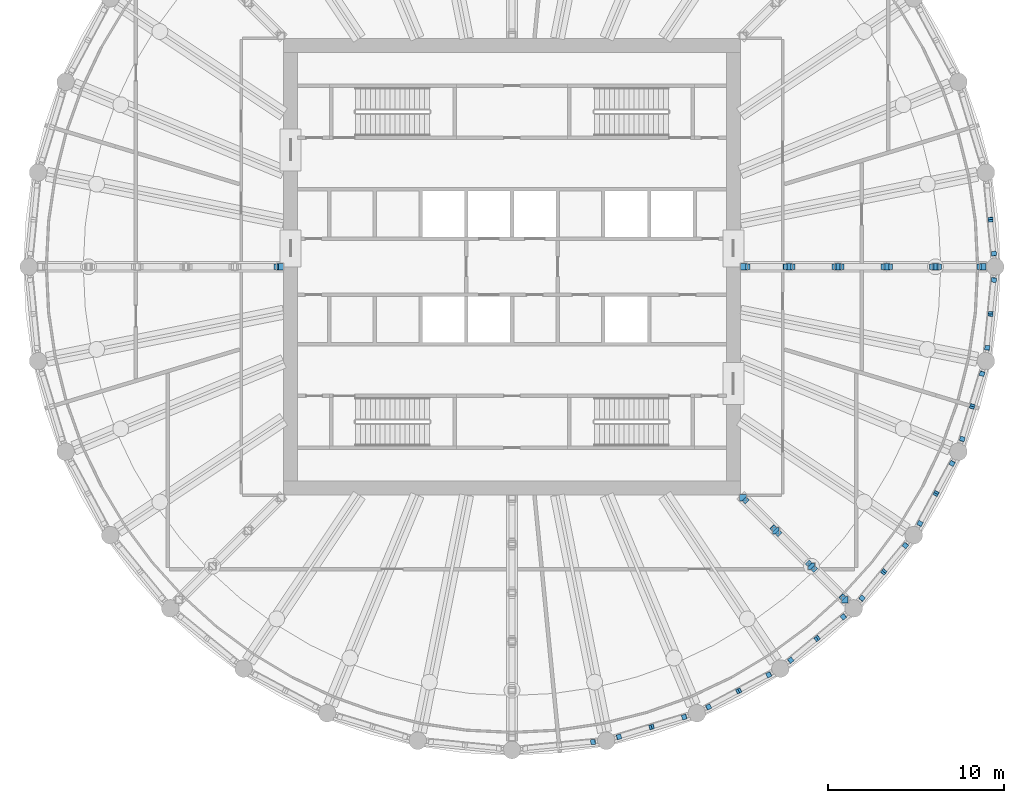
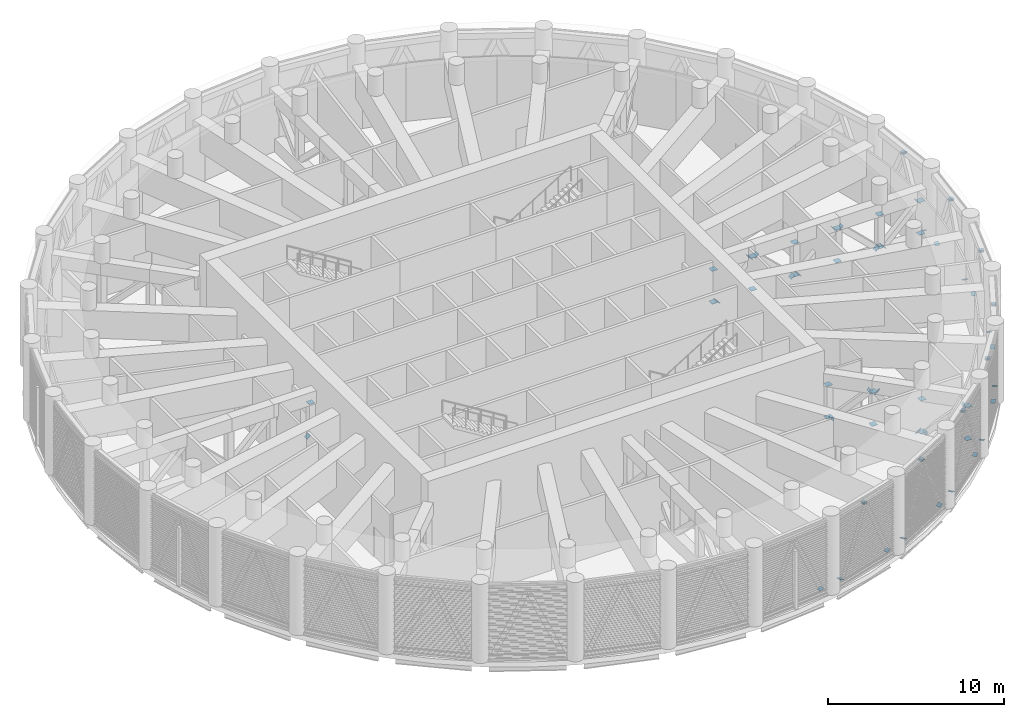
# One storey, part 14 of 24: 70 discrete accessories.
"""IFC4 building model written with IfcOpenShell, lengths in metres."""

import ifcopenshell
import ifcopenshell.guid

model = None  # the IFC model being written
_history = None  # IfcOwnerHistory: only IFC2X3 demands one
_inside = {}  # id of a spatial element -> (the spatial element, [elements in it])
_under = {}  # id of a project, library or spatial element -> (it, [spatial elements below it])
_declared = {}  # id of a project -> (the project, [libraries it declares])
_typed = {}  # id of a type object -> (the type object, [elements of that type])
_made_of = {}  # id of a material, layer set ... -> (it, [elements and type objects made of it])


def new_model(schema):
    """Start an empty IFC model of exactly this schema.

    Asked for "IFC4X3", IfcOpenShell would pick the latest addendum, in which some entities
    have other attributes; the version numbers below select the first issue.
    IFC2X3 requires an IfcOwnerHistory on every rooted entity: one is made here for all.
    """
    global model, _history
    if schema == "IFC4X3":
        model = ifcopenshell.file(schema_version=(4, 3, 0, 0))
    else:
        model = ifcopenshell.file(schema=schema)
    _inside.clear()
    _under.clear()
    _declared.clear()
    _typed.clear()
    _made_of.clear()
    _history = None
    if model.schema == "IFC2X3":
        org = make("IfcOrganization", Name="unknown")
        user = make(
            "IfcPersonAndOrganization",
            ThePerson=make("IfcPerson", FamilyName="unknown"),
            TheOrganization=org,
        )
        app = make(
            "IfcApplication",
            ApplicationDeveloper=org,
            Version="unknown",
            ApplicationFullName="unknown",
            ApplicationIdentifier="unknown",
        )
        _history = make(
            "IfcOwnerHistory",
            OwningUser=user,
            OwningApplication=app,
            ChangeAction="ADDED",
            CreationDate=0,
        )
    return model


def make(cls, **values):
    """One entity of the class cls with the attributes given. An attribute that is None is left unset."""
    return model.create_entity(
        cls, **{name: value for name, value in values.items() if value is not None}
    )


def rooted(cls, **values):
    """An entity with a GlobalId (a new one), such as an element, a storey or a relation."""
    return make(cls, GlobalId=ifcopenshell.guid.new(), OwnerHistory=_history, **values)


def si_unit(unit_type, name, prefix=None):
    """IfcSIUnit, for example si_unit("LENGTHUNIT", "METRE", prefix="MILLI")."""
    return make("IfcSIUnit", UnitType=unit_type, Prefix=prefix, Name=name)


def assignment(units):
    """IfcUnitAssignment: the units of a project."""
    return None if units is None else make("IfcUnitAssignment", Units=units)


def point(xyz):
    """IfcCartesianPoint."""
    return None if xyz is None else make("IfcCartesianPoint", Coordinates=xyz)


def direction(xyz):
    """IfcDirection."""
    return None if xyz is None else make("IfcDirection", DirectionRatios=xyz)


def frame(location, z_axis=None, x_axis=None):
    """IfcAxis2Placement3D, a coordinate frame: its origin and axes. An axis left out is left unset."""
    return make(
        "IfcAxis2Placement3D",
        Location=point(location),
        Axis=direction(z_axis),
        RefDirection=direction(x_axis),
    )


def frame_2d(location, x_axis=None):
    """IfcAxis2Placement2D, a coordinate frame in the plane: its origin and x axis."""
    return make(
        "IfcAxis2Placement2D", Location=point(location), RefDirection=direction(x_axis)
    )


def origin():
    """The frame at (0, 0, 0) with its axes left unset."""
    return frame((0.0, 0.0, 0.0))


def origin_2d():
    """The frame at (0, 0) in the plane with its x axis left unset."""
    return frame_2d((0.0, 0.0))


def place(relative_to, where):
    """IfcLocalPlacement: puts the frame where relative to a parent placement (None: the world)."""
    return make(
        "IfcLocalPlacement", PlacementRelTo=relative_to, RelativePlacement=where
    )


def context(
    kind, dimensions, precision=None, world=None, true_north=None, identifier=None
):
    """IfcGeometricRepresentationContext, for example the 3D "Model" context."""
    return make(
        "IfcGeometricRepresentationContext",
        ContextIdentifier=identifier,
        ContextType=kind,
        CoordinateSpaceDimension=dimensions,
        Precision=precision,
        WorldCoordinateSystem=world,
        TrueNorth=true_north,
    )


def subcontext(parent, identifier, kind, view, scale=None):
    """IfcGeometricRepresentationSubContext, for example "Body" below "Model"."""
    return make(
        "IfcGeometricRepresentationSubContext",
        ContextIdentifier=identifier,
        ContextType=kind,
        ParentContext=parent,
        TargetScale=scale,
        TargetView=view,
    )


def project(units=None, contexts=None):
    """IfcProject with its units and contexts."""
    return rooted(
        "IfcProject",
        Name="project",
        RepresentationContexts=contexts,
        UnitsInContext=assignment(units),
    )


def spatial(cls, under=None, at=None, **own):
    """A site, building, storey or space (cls), placed at a placement, below another one or the project."""
    s = rooted(cls, ObjectPlacement=at, **own)
    if under is not None:
        _under.setdefault(under.id(), (under, []))[1].append(s)
    return s


def profile(cls, at=None, kind="AREA", **sizes):
    """A parametric profile (cls). Its sizes go by their IFC names, for example OverallWidth=200.0."""
    return make(cls, ProfileType=kind, Position=at, **sizes)


def rectangle(**sizes):
    """IfcRectangleProfileDef."""
    return profile("IfcRectangleProfileDef", **sizes)


def extrude(swept, where, along, depth):
    """IfcExtrudedAreaSolid: the profile swept, set in the frame where, extruded along a direction by depth."""
    return make(
        "IfcExtrudedAreaSolid",
        SweptArea=swept,
        Position=where,
        ExtrudedDirection=direction(along),
        Depth=depth,
    )


def shape(context_of_items, identifier, shape_type, items):
    """IfcShapeRepresentation: the items that make up one representation, for example the "Body"."""
    return make(
        "IfcShapeRepresentation",
        ContextOfItems=context_of_items,
        RepresentationIdentifier=identifier,
        RepresentationType=shape_type,
        Items=items,
    )


def material(Name=None, Category=None):
    """IfcMaterial."""
    return make("IfcMaterial", Name=Name, Category=Category)


def material_profile(
    of_material, cross_section, Name=None, Category=None, Priority=None
):
    """IfcMaterialProfile: a cross section and its material."""
    return make(
        "IfcMaterialProfile",
        Name=Name,
        Material=of_material,
        Profile=cross_section,
        Priority=Priority,
        Category=Category,
    )


def profile_set(profiles, Name=None, composite=None):
    """IfcMaterialProfileSet."""
    return make(
        "IfcMaterialProfileSet",
        Name=Name,
        MaterialProfiles=profiles,
        CompositeProfile=composite,
    )


def made_of(thing, what):
    """Note that an element or type object is made of a material, layer set ...; save() writes the relation."""
    if what is not None:
        _made_of.setdefault(what.id(), (what, []))[1].append(thing)
    return thing


def type_object(cls, material=None, **own):
    """A type object (cls), such as IfcWallType, which elements share."""
    return made_of(rooted(cls, **own), material)


def element(
    cls,
    number,
    at=None,
    inside=None,
    cuts=None,
    type_object=None,
    material=None,
    context=None,
    identifier="Body",
    shape_type=None,
    held_by="IfcProductDefinitionShape",
    body=None,
    shapes=None,
    **own,
):
    """One element of the class cls, such as IfcWall. Its Tag is "e" and its number.

    at: its placement. inside: the storey or other place that contains it. cuts: it is an
    opening in that element (IfcRelVoidsElement). A single representation is given by context,
    identifier, shape_type and body (its items); several are given by shapes. held_by: the class
    of the entity that holds the representations. save() writes the other relations.
    """
    e = rooted(cls, Tag="e%d" % number, ObjectPlacement=at, **own)
    if body is not None:
        shapes = [shape(context, identifier, shape_type, body)]
    if shapes is not None:
        e.Representation = make(held_by, Representations=shapes)
    if inside is not None:
        _inside.setdefault(inside.id(), (inside, []))[1].append(e)
    if cuts is not None:
        rooted(
            "IfcRelVoidsElement", RelatingBuildingElement=cuts, RelatedOpeningElement=e
        )
    if type_object is not None:
        _typed.setdefault(type_object.id(), (type_object, []))[1].append(e)
    return made_of(e, material)


def aggregate(whole, parts):
    """IfcRelAggregates: a whole, such as a stair, and the parts it consists of."""
    return rooted("IfcRelAggregates", RelatingObject=whole, RelatedObjects=parts)


def save(model, path):
    """Write the relations noted so far, then the file.

    IfcRelAggregates (storeys below a building ...), IfcRelContainedInSpatialStructure (elements
    in a storey), IfcRelDefinesByType, IfcRelAssociatesMaterial and IfcRelDeclares: one each for
    every whole, place, type object, material and project.
    """
    for whole, parts in _under.values():
        aggregate(whole, parts)
    for where, things in _inside.values():
        rooted(
            "IfcRelContainedInSpatialStructure",
            RelatedElements=things,
            RelatingStructure=where,
        )
    for kind, things in _typed.values():
        rooted("IfcRelDefinesByType", RelatedObjects=things, RelatingType=kind)
    for what, things in _made_of.values():
        rooted("IfcRelAssociatesMaterial", RelatedObjects=things, RelatingMaterial=what)
    for by, libraries in _declared.values():
        rooted("IfcRelDeclares", RelatingContext=by, RelatedDefinitions=libraries)
    model.write(path)


model = new_model("IFC4")

# Units and contexts
model_context = context("Model", 3, precision=1e-05, world=origin(), true_north=direction((0.0, 1.0)))
body_context = subcontext(model_context, "Body", "Model", "MODEL_VIEW")
ifc_project = project(units=[si_unit("LENGTHUNIT", "METRE"), si_unit("AREAUNIT", "SQUARE_METRE"), si_unit("VOLUMEUNIT", "CUBIC_METRE"), si_unit("PLANEANGLEUNIT", "RADIAN"), si_unit("MASSUNIT", "GRAM", prefix="KILO")], contexts=[model_context])

# Site, building, storey
site_placement = place(None, origin())
site = spatial("IfcSite", under=ifc_project, at=site_placement, CompositionType="ELEMENT")
building_placement = place(site_placement, origin())
building = spatial("IfcBuilding", under=site, at=building_placement, Name="Corvane Civic Tower", CompositionType="ELEMENT")
storey_placement = place(building_placement, frame((0.0, 0.0, 257.5)))
storey = spatial("IfcBuildingStorey", under=building, at=storey_placement, Name="L61", CompositionType="ELEMENT", Elevation=257.5)

# Discrete accessories
ifc_material_1 = material(Name="Steel ASTM A572 Gr 50", Category="steel")
ifc_material_profile_1 = material_profile(ifc_material_1, rectangle(XDim=0.2802734375, YDim=0.2802734375, at=origin_2d()), Name="GUSSET PLATE 25 IN HSS12X12X1/2")
ifc_profile_set_1 = profile_set([ifc_material_profile_1], Name="Steel ASTM A572 Gr 50")
discrete_accessory_type_1 = type_object("IfcDiscreteAccessoryType", Name="GUSSET PLATE 25 IN HSS12X12X1/2", PredefinedType="BRACKET", material=ifc_profile_set_1)
discrete_accessory_1_placement = place(storey_placement, frame((27.23583984375, 2.6826171875, 4.74365234375), z_axis=(-0.038974804843, 0.399491749636, -0.915907913799), x_axis=(-0.995274633926, -0.097099964285, 0.0)))
element("IfcDiscreteAccessory", 1, at=discrete_accessory_1_placement, inside=storey, type_object=discrete_accessory_type_1, Name="Gusset plate BD1 end B", PredefinedType="BRACKET", context=body_context, shape_type="SweptSolid", body=[
    extrude(rectangle(XDim=0.2802734375, YDim=0.2802734375, at=origin_2d()), origin(), (0.0, 0.0, 1.0), 0.025146484375),
])
discrete_accessory_2_placement = place(storey_placement, frame((27.426513671875, 0.746337890625, 0.406494140625), z_axis=(-0.0391686549, 0.411270876454, 0.910671226434), x_axis=(-0.995495472594, -0.094809092628, 0.0)))
element("IfcDiscreteAccessory", 2, at=discrete_accessory_2_placement, inside=storey, type_object=discrete_accessory_type_1, Name="Gusset plate BD1 end A", PredefinedType="BRACKET", context=body_context, shape_type="SweptSolid", body=[
    extrude(rectangle(XDim=0.2802734375, YDim=0.2802734375, at=origin_2d()), origin(), (0.0, 0.0, 1.0), 0.02490234375),
])
discrete_accessory_3_placement = place(storey_placement, frame((27.23583984375, 2.6826171875, 4.74365234375), z_axis=(0.03882214581, -0.407632531003, -0.91232042653), x_axis=(0.995495472594, 0.094809092628, 0.0)))
element("IfcDiscreteAccessory", 3, at=discrete_accessory_3_placement, inside=storey, type_object=discrete_accessory_type_1, Name="Gusset plate BD1 end B", PredefinedType="BRACKET", context=body_context, shape_type="SweptSolid", body=[
    extrude(rectangle(XDim=0.2802734375, YDim=0.2802734375, at=origin_2d()), origin(), (0.0, 0.0, 1.0), 0.025146484375),
])
discrete_accessory_4_placement = place(storey_placement, frame((27.426513671875, -0.746337890625, 0.406494140625), z_axis=(-0.0391686549, -0.411270876454, 0.910671226434), x_axis=(0.995495472594, -0.094809092628, 0.0)))
element("IfcDiscreteAccessory", 4, at=discrete_accessory_4_placement, inside=storey, type_object=discrete_accessory_type_1, Name="Gusset plate BD1 end A", PredefinedType="BRACKET", context=body_context, shape_type="SweptSolid", body=[
    extrude(rectangle(XDim=0.2802734375, YDim=0.2802734375, at=origin_2d()), origin(), (0.0, 0.0, 1.0), 0.02490234375),
])
discrete_accessory_5_placement = place(storey_placement, frame((27.23583984375, -2.6826171875, 4.74365234375), z_axis=(0.03882214581, 0.407632531003, -0.91232042653), x_axis=(-0.995495472594, 0.094809092628, 0.0)))
element("IfcDiscreteAccessory", 5, at=discrete_accessory_5_placement, inside=storey, type_object=discrete_accessory_type_1, Name="Gusset plate BD1 end B", PredefinedType="BRACKET", context=body_context, shape_type="SweptSolid", body=[
    extrude(rectangle(XDim=0.2802734375, YDim=0.2802734375, at=origin_2d()), origin(), (0.0, 0.0, 1.0), 0.025146484375),
])
discrete_accessory_6_placement = place(storey_placement, frame((27.045166015625, -4.61865234375, 0.406494140625), z_axis=(0.0391686549, 0.411270876454, 0.910671226434), x_axis=(-0.995495472594, 0.094809092628, 0.0)))
element("IfcDiscreteAccessory", 6, at=discrete_accessory_6_placement, inside=storey, type_object=discrete_accessory_type_1, Name="Gusset plate BD1 end A", PredefinedType="BRACKET", context=body_context, shape_type="SweptSolid", body=[
    extrude(rectangle(XDim=0.2802734375, YDim=0.2802734375, at=origin_2d()), origin(), (0.0, 0.0, 1.0), 0.02490234375),
])
discrete_accessory_7_placement = place(storey_placement, frame((27.23583984375, -2.6826171875, 4.74365234375), z_axis=(-0.038974804843, -0.399491749636, -0.915907913799), x_axis=(0.995274633926, -0.097099964285, 0.0)))
element("IfcDiscreteAccessory", 7, at=discrete_accessory_7_placement, inside=storey, type_object=discrete_accessory_type_1, Name="Gusset plate BD1 end B", PredefinedType="BRACKET", context=body_context, shape_type="SweptSolid", body=[
    extrude(rectangle(XDim=0.2802734375, YDim=0.2802734375, at=origin_2d()), origin(), (0.0, 0.0, 1.0), 0.025146484375),
])
discrete_accessory_8_placement = place(storey_placement, frame((26.75390625, -6.082763671875, 0.406494140625), z_axis=(-0.117709301458, -0.392364338194, 0.912247086301), x_axis=(0.957826285221, -0.287347885566, 0.0)))
element("IfcDiscreteAccessory", 8, at=discrete_accessory_8_placement, inside=storey, type_object=discrete_accessory_type_1, Name="Gusset plate BD1 end A", PredefinedType="BRACKET", context=body_context, shape_type="SweptSolid", body=[
    extrude(rectangle(XDim=0.2802734375, YDim=0.2802734375, at=origin_2d()), origin(), (0.0, 0.0, 1.0), 0.02490234375),
])
discrete_accessory_9_placement = place(storey_placement, frame((26.189208984375, -7.9443359375, 4.74365234375), z_axis=(0.116664416217, 0.388881387391, -0.913871260369), x_axis=(-0.957826285221, 0.287347885566, 0.0)))
element("IfcDiscreteAccessory", 9, at=discrete_accessory_9_placement, inside=storey, type_object=discrete_accessory_type_1, Name="Gusset plate BD1 end B", PredefinedType="BRACKET", context=body_context, shape_type="SweptSolid", body=[
    extrude(rectangle(XDim=0.2802734375, YDim=0.2802734375, at=origin_2d()), origin(), (0.0, 0.0, 1.0), 0.025146484375),
])
discrete_accessory_10_placement = place(storey_placement, frame((25.62451171875, -9.805908203125, 0.406494140625), z_axis=(0.117709301458, 0.392364338194, 0.912247086301), x_axis=(-0.957826285221, 0.287347885566, 0.0)))
element("IfcDiscreteAccessory", 10, at=discrete_accessory_10_placement, inside=storey, type_object=discrete_accessory_type_1, Name="Gusset plate BD1 end A", PredefinedType="BRACKET", context=body_context, shape_type="SweptSolid", body=[
    extrude(rectangle(XDim=0.2802734375, YDim=0.2802734375, at=origin_2d()), origin(), (0.0, 0.0, 1.0), 0.02490234375),
])
discrete_accessory_11_placement = place(storey_placement, frame((26.189208984375, -7.9443359375, 4.74365234375), z_axis=(-0.116664416217, -0.388881387391, -0.913871260369), x_axis=(0.957826285221, -0.287347885566, 0.0)))
element("IfcDiscreteAccessory", 11, at=discrete_accessory_11_placement, inside=storey, type_object=discrete_accessory_type_1, Name="Gusset plate BD1 end B", PredefinedType="BRACKET", context=body_context, shape_type="SweptSolid", body=[
    extrude(rectangle(XDim=0.2802734375, YDim=0.2802734375, at=origin_2d()), origin(), (0.0, 0.0, 1.0), 0.025146484375),
])
discrete_accessory_12_placement = place(storey_placement, frame((25.05322265625, -11.18505859375, 0.406494140625), z_axis=(-0.195946639239, -0.362501282592, 0.911151872461), x_axis=(0.879706513576, -0.475517034365, 0.0)))
element("IfcDiscreteAccessory", 12, at=discrete_accessory_12_placement, inside=storey, type_object=discrete_accessory_type_1, Name="Gusset plate BD1 end A", PredefinedType="BRACKET", context=body_context, shape_type="SweptSolid", body=[
    extrude(rectangle(XDim=0.2802734375, YDim=0.2802734375, at=origin_2d()), origin(), (0.0, 0.0, 1.0), 0.02490234375),
])
discrete_accessory_13_placement = place(storey_placement, frame((24.13623046875, -12.90087890625, 4.74365234375), z_axis=(0.184840995049, 0.359953516674, -0.914476501821), x_axis=(-0.889567018144, 0.456804684993, 0.0)))
element("IfcDiscreteAccessory", 13, at=discrete_accessory_13_placement, inside=storey, type_object=discrete_accessory_type_1, Name="Gusset plate BD1 end B", PredefinedType="BRACKET", context=body_context, shape_type="SweptSolid", body=[
    extrude(rectangle(XDim=0.2802734375, YDim=0.2802734375, at=origin_2d()), origin(), (0.0, 0.0, 1.0), 0.025146484375),
])
discrete_accessory_14_placement = place(storey_placement, frame((23.218994140625, -14.61669921875, 0.406494140625), z_axis=(0.195946639239, 0.362501282592, 0.911151872461), x_axis=(-0.879706513576, 0.475517034365, 0.0)))
element("IfcDiscreteAccessory", 14, at=discrete_accessory_14_placement, inside=storey, type_object=discrete_accessory_type_1, Name="Gusset plate BD1 end A", PredefinedType="BRACKET", context=body_context, shape_type="SweptSolid", body=[
    extrude(rectangle(XDim=0.2802734375, YDim=0.2802734375, at=origin_2d()), origin(), (0.0, 0.0, 1.0), 0.02490234375),
])
discrete_accessory_15_placement = place(storey_placement, frame((24.13623046875, -12.90087890625, 4.74365234375), z_axis=(-0.194211373302, -0.35929104061, -0.912793454522), x_axis=(0.879706513576, -0.475517034365, 0.0)))
element("IfcDiscreteAccessory", 15, at=discrete_accessory_15_placement, inside=storey, type_object=discrete_accessory_type_1, Name="Gusset plate BD1 end B", PredefinedType="BRACKET", context=body_context, shape_type="SweptSolid", body=[
    extrude(rectangle(XDim=0.2802734375, YDim=0.2802734375, at=origin_2d()), origin(), (0.0, 0.0, 1.0), 0.025146484375),
])
discrete_accessory_16_placement = place(storey_placement, frame((22.3896484375, -15.85791015625, 0.406494140625), z_axis=(-0.255578404416, -0.314558036205, 0.91418429272), x_axis=(0.776114000116, -0.630592625094, 0.0)))
element("IfcDiscreteAccessory", 16, at=discrete_accessory_16_placement, inside=storey, type_object=discrete_accessory_type_1, Name="Gusset plate BD1 end A", PredefinedType="BRACKET", context=body_context, shape_type="SweptSolid", body=[
    extrude(rectangle(XDim=0.2802734375, YDim=0.2802734375, at=origin_2d()), origin(), (0.0, 0.0, 1.0), 0.02490234375),
])
discrete_accessory_17_placement = place(storey_placement, frame((21.155517578125, -17.36181640625, 4.74365234375), z_axis=(0.262383360484, 0.310972871685, -0.913482810575), x_axis=(-0.764291483508, 0.64487093921, 0.0)))
element("IfcDiscreteAccessory", 17, at=discrete_accessory_17_placement, inside=storey, type_object=discrete_accessory_type_1, Name="Gusset plate BD1 end B", PredefinedType="BRACKET", context=body_context, shape_type="SweptSolid", body=[
    extrude(rectangle(XDim=0.2802734375, YDim=0.2802734375, at=origin_2d()), origin(), (0.0, 0.0, 1.0), 0.025146484375),
])
discrete_accessory_18_placement = place(storey_placement, frame((19.92138671875, -18.86572265625, 0.406494140625), z_axis=(0.255578404416, 0.314558036205, 0.91418429272), x_axis=(-0.776114000116, 0.630592625094, 0.0)))
element("IfcDiscreteAccessory", 18, at=discrete_accessory_18_placement, inside=storey, type_object=discrete_accessory_type_1, Name="Gusset plate BD1 end A", PredefinedType="BRACKET", context=body_context, shape_type="SweptSolid", body=[
    extrude(rectangle(XDim=0.2802734375, YDim=0.2802734375, at=origin_2d()), origin(), (0.0, 0.0, 1.0), 0.02490234375),
])
discrete_accessory_19_placement = place(storey_placement, frame((21.155517578125, -17.36181640625, 4.74365234375), z_axis=(-0.262383360484, -0.310972871685, -0.913482810575), x_axis=(0.764291483508, -0.64487093921, 0.0)))
element("IfcDiscreteAccessory", 19, at=discrete_accessory_19_placement, inside=storey, type_object=discrete_accessory_type_1, Name="Gusset plate BD1 end B", PredefinedType="BRACKET", context=body_context, shape_type="SweptSolid", body=[
    extrude(rectangle(XDim=0.2802734375, YDim=0.2802734375, at=origin_2d()), origin(), (0.0, 0.0, 1.0), 0.025146484375),
])
discrete_accessory_20_placement = place(storey_placement, frame((18.86572265625, -19.92138671875, 0.406494140625), z_axis=(-0.314558036205, -0.255578404416, 0.91418429272), x_axis=(0.630592625094, -0.776114000116, 0.0)))
element("IfcDiscreteAccessory", 20, at=discrete_accessory_20_placement, inside=storey, type_object=discrete_accessory_type_1, Name="Gusset plate BD1 end A", PredefinedType="BRACKET", context=body_context, shape_type="SweptSolid", body=[
    extrude(rectangle(XDim=0.2802734375, YDim=0.2802734375, at=origin_2d()), origin(), (0.0, 0.0, 1.0), 0.02490234375),
])
discrete_accessory_21_placement = place(storey_placement, frame((17.36181640625, -21.155517578125, 4.74365234375), z_axis=(0.310972871685, 0.262383360484, -0.913482810575), x_axis=(-0.64487093921, 0.764291483508, 0.0)))
element("IfcDiscreteAccessory", 21, at=discrete_accessory_21_placement, inside=storey, type_object=discrete_accessory_type_1, Name="Gusset plate BD1 end B", PredefinedType="BRACKET", context=body_context, shape_type="SweptSolid", body=[
    extrude(rectangle(XDim=0.2802734375, YDim=0.2802734375, at=origin_2d()), origin(), (0.0, 0.0, 1.0), 0.025146484375),
])
discrete_accessory_22_placement = place(storey_placement, frame((15.85791015625, -22.3896484375, 0.406494140625), z_axis=(0.314558036205, 0.255578404416, 0.91418429272), x_axis=(-0.630592625094, 0.776114000116, 0.0)))
element("IfcDiscreteAccessory", 22, at=discrete_accessory_22_placement, inside=storey, type_object=discrete_accessory_type_1, Name="Gusset plate BD1 end A", PredefinedType="BRACKET", context=body_context, shape_type="SweptSolid", body=[
    extrude(rectangle(XDim=0.2802734375, YDim=0.2802734375, at=origin_2d()), origin(), (0.0, 0.0, 1.0), 0.02490234375),
])
discrete_accessory_23_placement = place(storey_placement, frame((17.36181640625, -21.155517578125, 4.74365234375), z_axis=(-0.310972871685, -0.262383360484, -0.913482810575), x_axis=(0.64487093921, -0.764291483508, 0.0)))
element("IfcDiscreteAccessory", 23, at=discrete_accessory_23_placement, inside=storey, type_object=discrete_accessory_type_1, Name="Gusset plate BD1 end B", PredefinedType="BRACKET", context=body_context, shape_type="SweptSolid", body=[
    extrude(rectangle(XDim=0.2802734375, YDim=0.2802734375, at=origin_2d()), origin(), (0.0, 0.0, 1.0), 0.025146484375),
])
discrete_accessory_24_placement = place(storey_placement, frame((14.61669921875, -23.218994140625, 0.406494140625), z_axis=(-0.362501282592, -0.195946639239, 0.911151872461), x_axis=(0.475517034365, -0.879706513576, 0.0)))
element("IfcDiscreteAccessory", 24, at=discrete_accessory_24_placement, inside=storey, type_object=discrete_accessory_type_1, Name="Gusset plate BD1 end A", PredefinedType="BRACKET", context=body_context, shape_type="SweptSolid", body=[
    extrude(rectangle(XDim=0.2802734375, YDim=0.2802734375, at=origin_2d()), origin(), (0.0, 0.0, 1.0), 0.02490234375),
])
discrete_accessory_25_placement = place(storey_placement, frame((12.90087890625, -24.13623046875, 4.74365234375), z_axis=(0.35929104061, 0.194211373302, -0.912793454522), x_axis=(-0.475517034365, 0.879706513576, 0.0)))
element("IfcDiscreteAccessory", 25, at=discrete_accessory_25_placement, inside=storey, type_object=discrete_accessory_type_1, Name="Gusset plate BD1 end B", PredefinedType="BRACKET", context=body_context, shape_type="SweptSolid", body=[
    extrude(rectangle(XDim=0.2802734375, YDim=0.2802734375, at=origin_2d()), origin(), (0.0, 0.0, 1.0), 0.025146484375),
])
discrete_accessory_26_placement = place(storey_placement, frame((11.18505859375, -25.05322265625, 0.406494140625), z_axis=(0.362501282592, 0.195946639239, 0.911151872461), x_axis=(-0.475517034365, 0.879706513576, 0.0)))
element("IfcDiscreteAccessory", 26, at=discrete_accessory_26_placement, inside=storey, type_object=discrete_accessory_type_1, Name="Gusset plate BD1 end A", PredefinedType="BRACKET", context=body_context, shape_type="SweptSolid", body=[
    extrude(rectangle(XDim=0.2802734375, YDim=0.2802734375, at=origin_2d()), origin(), (0.0, 0.0, 1.0), 0.02490234375),
])
discrete_accessory_27_placement = place(storey_placement, frame((12.90087890625, -24.13623046875, 4.74365234375), z_axis=(-0.359953516674, -0.184840995049, -0.914476501821), x_axis=(0.456804684993, -0.889567018144, 0.0)))
element("IfcDiscreteAccessory", 27, at=discrete_accessory_27_placement, inside=storey, type_object=discrete_accessory_type_1, Name="Gusset plate BD1 end B", PredefinedType="BRACKET", context=body_context, shape_type="SweptSolid", body=[
    extrude(rectangle(XDim=0.2802734375, YDim=0.2802734375, at=origin_2d()), origin(), (0.0, 0.0, 1.0), 0.025146484375),
])
discrete_accessory_28_placement = place(storey_placement, frame((9.805908203125, -25.62451171875, 0.406494140625), z_axis=(-0.392364338194, -0.117709301458, 0.912247086301), x_axis=(0.287347885566, -0.957826285221, 0.0)))
element("IfcDiscreteAccessory", 28, at=discrete_accessory_28_placement, inside=storey, type_object=discrete_accessory_type_1, Name="Gusset plate BD1 end A", PredefinedType="BRACKET", context=body_context, shape_type="SweptSolid", body=[
    extrude(rectangle(XDim=0.2802734375, YDim=0.2802734375, at=origin_2d()), origin(), (0.0, 0.0, 1.0), 0.02490234375),
])
discrete_accessory_29_placement = place(storey_placement, frame((7.9443359375, -26.189208984375, 4.74365234375), z_axis=(0.388881387391, 0.116664416217, -0.913871260369), x_axis=(-0.287347885566, 0.957826285221, 0.0)))
element("IfcDiscreteAccessory", 29, at=discrete_accessory_29_placement, inside=storey, type_object=discrete_accessory_type_1, Name="Gusset plate BD1 end B", PredefinedType="BRACKET", context=body_context, shape_type="SweptSolid", body=[
    extrude(rectangle(XDim=0.2802734375, YDim=0.2802734375, at=origin_2d()), origin(), (0.0, 0.0, 1.0), 0.025146484375),
])
discrete_accessory_30_placement = place(storey_placement, frame((6.082763671875, -26.75390625, 0.406494140625), z_axis=(0.392364338194, 0.117709301458, 0.912247086301), x_axis=(-0.287347885566, 0.957826285221, 0.0)))
element("IfcDiscreteAccessory", 30, at=discrete_accessory_30_placement, inside=storey, type_object=discrete_accessory_type_1, Name="Gusset plate BD1 end A", PredefinedType="BRACKET", context=body_context, shape_type="SweptSolid", body=[
    extrude(rectangle(XDim=0.2802734375, YDim=0.2802734375, at=origin_2d()), origin(), (0.0, 0.0, 1.0), 0.02490234375),
])
discrete_accessory_31_placement = place(storey_placement, frame((7.9443359375, -26.189208984375, 4.74365234375), z_axis=(-0.388881387391, -0.116664416217, -0.913871260369), x_axis=(0.287347885566, -0.957826285221, 0.0)))
element("IfcDiscreteAccessory", 31, at=discrete_accessory_31_placement, inside=storey, type_object=discrete_accessory_type_1, Name="Gusset plate BD1 end B", PredefinedType="BRACKET", context=body_context, shape_type="SweptSolid", body=[
    extrude(rectangle(XDim=0.2802734375, YDim=0.2802734375, at=origin_2d()), origin(), (0.0, 0.0, 1.0), 0.025146484375),
])
discrete_accessory_32_placement = place(storey_placement, frame((4.61865234375, -27.045166015625, 0.406494140625), z_axis=(-0.411270876454, -0.0391686549, 0.910671226434), x_axis=(0.094809092628, -0.995495472594, 0.0)))
element("IfcDiscreteAccessory", 32, at=discrete_accessory_32_placement, inside=storey, type_object=discrete_accessory_type_1, Name="Gusset plate BD1 end A", PredefinedType="BRACKET", context=body_context, shape_type="SweptSolid", body=[
    extrude(rectangle(XDim=0.2802734375, YDim=0.2802734375, at=origin_2d()), origin(), (0.0, 0.0, 1.0), 0.02490234375),
])
ifc_material_2 = material(Name="Steel ASTM A572 Gr 50", Category="steel")
ifc_material_profile_2 = material_profile(ifc_material_2, rectangle(XDim=0.3310546875, YDim=0.3310546875, at=origin_2d()), Name="GUSSET PLATE 25 IN HSS14X14X1/2")
ifc_profile_set_2 = profile_set([ifc_material_profile_2], Name="Steel ASTM A572 Gr 50")
discrete_accessory_type_2 = type_object("IfcDiscreteAccessoryType", Name="GUSSET PLATE 25 IN HSS14X14X1/2", PredefinedType="BRACKET", material=ifc_profile_set_2)
discrete_accessory_33_placement = place(storey_placement, frame((13.406494140625, 0.0, 0.89990234375), z_axis=(0.68231825036, 0.0, 0.731055268243), x_axis=(0.0, 1.0, 0.0)))
element("IfcDiscreteAccessory", 33, at=discrete_accessory_33_placement, inside=storey, type_object=discrete_accessory_type_2, Name="Gusset plate OD1 end A", PredefinedType="BRACKET", context=body_context, shape_type="SweptSolid", body=[
    extrude(rectangle(XDim=0.3310546875, YDim=0.3310546875, at=origin_2d()), origin(), (0.0, 0.0, 1.0), 0.025146484375),
])
for number, where, z_axis, x_axis, name in (
    (34, (15.57177734375, 0.0, 3.199951171875), (-0.687199853876, 0.0, -0.726468416955), (0.0, -1.0, 0.0), "Gusset plate OD1 end B"),
    (35, (15.978271484375, 0.0, 3.199951171875), (0.716858570585, 0.0, -0.697218609747), (0.0, 1.0, 0.0), "Gusset plate OD1 end A"),
):
    element("IfcDiscreteAccessory", number, at=place(storey_placement, frame(where, z_axis=z_axis, x_axis=x_axis)), inside=storey, type_object=discrete_accessory_type_2, Name=name, PredefinedType="BRACKET", context=body_context, shape_type="SweptSolid", body=[
        extrude(rectangle(XDim=0.3310546875, YDim=0.3310546875, at=origin_2d()), origin(), (0.0, 0.0, 1.0), 0.02490234375),
    ])
for number, where, z_axis, x_axis, name in (
    (36, (18.3466796875, 0.0, 0.89990234375), (-0.711966448453, 0.0, 0.702213483406), (0.0, -1.0, 0.0), "Gusset plate OD1 end B"),
    (37, (18.753173828125, 0.0, 0.89990234375), (0.716725930909, 0.0, 0.697354959803), (0.0, 1.0, 0.0), "Gusset plate OD1 end A"),
    (38, (21.121826171875, 0.0, 3.199951171875), (-0.721582152295, 0.0, -0.692328821796), (0.0, -1.0, 0.0), "Gusset plate OD1 end B"),
):
    element("IfcDiscreteAccessory", number, at=place(storey_placement, frame(where, z_axis=z_axis, x_axis=x_axis)), inside=storey, type_object=discrete_accessory_type_2, Name=name, PredefinedType="BRACKET", context=body_context, shape_type="SweptSolid", body=[
        extrude(rectangle(XDim=0.3310546875, YDim=0.3310546875, at=origin_2d()), origin(), (0.0, 0.0, 1.0), 0.025146484375),
    ])
discrete_accessory_34_placement = place(storey_placement, frame((21.5283203125, 0.0, 3.199951171875), z_axis=(0.716858570585, 0.0, -0.697218609747), x_axis=(0.0, 1.0, 0.0)))
element("IfcDiscreteAccessory", 39, at=discrete_accessory_34_placement, inside=storey, type_object=discrete_accessory_type_2, Name="Gusset plate OD1 end A", PredefinedType="BRACKET", context=body_context, shape_type="SweptSolid", body=[
    extrude(rectangle(XDim=0.3310546875, YDim=0.3310546875, at=origin_2d()), origin(), (0.0, 0.0, 1.0), 0.02490234375),
])
for number, where, z_axis, x_axis, name in (
    (40, (23.896728515625, 0.0, 0.89990234375), (-0.711966448453, 0.0, 0.702213483406), (0.0, -1.0, 0.0), "Gusset plate OD1 end B"),
    (41, (24.30322265625, 0.0, 0.89990234375), (0.702213483406, 0.0, 0.711966448453), (0.0, 1.0, 0.0), "Gusset plate OD1 end A"),
):
    element("IfcDiscreteAccessory", number, at=place(storey_placement, frame(where, z_axis=z_axis, x_axis=x_axis)), inside=storey, type_object=discrete_accessory_type_2, Name=name, PredefinedType="BRACKET", context=body_context, shape_type="SweptSolid", body=[
        extrude(rectangle(XDim=0.3310546875, YDim=0.3310546875, at=origin_2d()), origin(), (0.0, 0.0, 1.0), 0.025146484375),
    ])
discrete_accessory_35_placement = place(storey_placement, frame((26.593505859375, 0.0, 3.199951171875), z_axis=(-0.707106781187, 0.0, -0.707106781187), x_axis=(0.0, -1.0, 0.0)))
element("IfcDiscreteAccessory", 42, at=discrete_accessory_35_placement, inside=storey, type_object=discrete_accessory_type_2, Name="Gusset plate OD1 end B", PredefinedType="BRACKET", context=body_context, shape_type="SweptSolid", body=[
    extrude(rectangle(XDim=0.3310546875, YDim=0.3310546875, at=origin_2d()), origin(), (0.0, 0.0, 1.0), 0.02490234375),
])
for number, where, z_axis, x_axis, name in (
    (43, (13.287353515625, -13.287353515625, 0.89990234375), (0.493543251398, -0.493543251398, 0.716121580459), (0.707106781187, 0.707106781187, 0.0), "Gusset plate OD1 end A"),
    (44, (14.876953125, -14.876953125, 3.199951171875), (-0.496975946736, 0.496975946736, -0.711357727681), (-0.707106781187, -0.707106781187, 0.0), "Gusset plate OD1 end B"),
    (45, (15.164306640625, -15.164306640625, 3.199951171875), (0.516784270393, -0.516784270393, -0.682545262784), (0.707106781187, 0.707106781187, 0.0), "Gusset plate OD1 end A"),
    (46, (16.897705078125, -16.897705078125, 0.89990234375), (-0.516784270393, 0.516784270393, 0.682545262784), (-0.707106781187, -0.707106781187, 0.0), "Gusset plate OD1 end B"),
    (47, (17.18505859375, -17.18505859375, 0.89990234375), (0.496975946736, -0.496975946736, 0.711357727681), (0.707106781187, 0.707106781187, 0.0), "Gusset plate OD1 end A"),
):
    element("IfcDiscreteAccessory", number, at=place(storey_placement, frame(where, z_axis=z_axis, x_axis=x_axis)), inside=storey, type_object=discrete_accessory_type_2, Name=name, PredefinedType="BRACKET", context=body_context, shape_type="SweptSolid", body=[
        extrude(rectangle(XDim=0.3310546875, YDim=0.3310546875, at=origin_2d()), origin(), (0.0, 0.0, 1.0), 0.025146484375),
    ])
discrete_accessory_36_placement = place(storey_placement, frame((18.804443359375, -18.804443359375, 3.199951171875), z_axis=(-0.500433087998, 0.500433087998, -0.706493771291), x_axis=(-0.707106781187, -0.707106781187, 0.0)))
element("IfcDiscreteAccessory", 48, at=discrete_accessory_36_placement, inside=storey, type_object=discrete_accessory_type_2, Name="Gusset plate OD1 end B", PredefinedType="BRACKET", context=body_context, shape_type="SweptSolid", body=[
    extrude(rectangle(XDim=0.3310546875, YDim=0.3310546875, at=origin_2d()), origin(), (0.0, 0.0, 1.0), 0.02490234375),
])
discrete_accessory_37_placement = place(storey_placement, frame((-13.406494140625, 0.0, 0.89990234375), z_axis=(-0.68231825036, 0.0, 0.731055268243), x_axis=(0.0, -1.0, 0.0)))
element("IfcDiscreteAccessory", 49, at=discrete_accessory_37_placement, inside=storey, type_object=discrete_accessory_type_2, Name="Gusset plate OD1 end A", PredefinedType="BRACKET", context=body_context, shape_type="SweptSolid", body=[
    extrude(rectangle(XDim=0.3310546875, YDim=0.3310546875, at=origin_2d()), origin(), (0.0, 0.0, 1.0), 0.025146484375),
])
ifc_material_3 = material(Name="Steel ASTM A572 Gr 50", Category="steel")
ifc_material_profile_3 = material_profile(ifc_material_3, rectangle(XDim=0.3759765625, YDim=0.3759765625, at=origin_2d()), Name="GUSSET PLATE 25 IN HSS16X16X5/8")
ifc_profile_set_3 = profile_set([ifc_material_profile_3], Name="Steel ASTM A572 Gr 50")
discrete_accessory_type_3 = type_object("IfcDiscreteAccessoryType", Name="GUSSET PLATE 25 IN HSS16X16X5/8", PredefinedType="BRACKET", material=ifc_profile_set_3)
discrete_accessory_38_placement = place(storey_placement, frame((13.203125, 0.0, 0.89990234375), z_axis=(0.0, 0.0, 1.0), x_axis=(1.0, 0.0, 0.0)))
element("IfcDiscreteAccessory", 50, at=discrete_accessory_38_placement, inside=storey, type_object=discrete_accessory_type_3, Name="Gusset plate OP1 end A", PredefinedType="BRACKET", context=body_context, shape_type="SweptSolid", body=[
    extrude(rectangle(XDim=0.3759765625, YDim=0.3759765625, at=origin_2d()), origin(), (0.0, 0.0, 1.0), 0.025146484375),
])
discrete_accessory_39_placement = place(storey_placement, frame((13.203125, 0.0, 3.199951171875), z_axis=(0.0, 0.0, -1.0), x_axis=(1.0, 0.0, 0.0)))
element("IfcDiscreteAccessory", 51, at=discrete_accessory_39_placement, inside=storey, type_object=discrete_accessory_type_3, Name="Gusset plate OP1 end B", PredefinedType="BRACKET", context=body_context, shape_type="SweptSolid", body=[
    extrude(rectangle(XDim=0.3759765625, YDim=0.3759765625, at=origin_2d()), origin(), (0.0, 0.0, 1.0), 0.02490234375),
])
discrete_accessory_40_placement = place(storey_placement, frame((15.77490234375, 0.0, 0.89990234375), z_axis=(0.0, 0.0, 1.0), x_axis=(1.0, 0.0, 0.0)))
element("IfcDiscreteAccessory", 52, at=discrete_accessory_40_placement, inside=storey, type_object=discrete_accessory_type_3, Name="Gusset plate OP1 end A", PredefinedType="BRACKET", context=body_context, shape_type="SweptSolid", body=[
    extrude(rectangle(XDim=0.3759765625, YDim=0.3759765625, at=origin_2d()), origin(), (0.0, 0.0, 1.0), 0.025146484375),
])
discrete_accessory_41_placement = place(storey_placement, frame((15.77490234375, 0.0, 3.199951171875), z_axis=(0.0, 0.0, -1.0), x_axis=(1.0, 0.0, 0.0)))
element("IfcDiscreteAccessory", 53, at=discrete_accessory_41_placement, inside=storey, type_object=discrete_accessory_type_3, Name="Gusset plate OP1 end B", PredefinedType="BRACKET", context=body_context, shape_type="SweptSolid", body=[
    extrude(rectangle(XDim=0.3759765625, YDim=0.3759765625, at=origin_2d()), origin(), (0.0, 0.0, 1.0), 0.02490234375),
])
discrete_accessory_42_placement = place(storey_placement, frame((18.550048828125, 0.0, 0.89990234375), z_axis=(0.0, 0.0, 1.0), x_axis=(1.0, 0.0, 0.0)))
element("IfcDiscreteAccessory", 54, at=discrete_accessory_42_placement, inside=storey, type_object=discrete_accessory_type_3, Name="Gusset plate OP1 end A", PredefinedType="BRACKET", context=body_context, shape_type="SweptSolid", body=[
    extrude(rectangle(XDim=0.3759765625, YDim=0.3759765625, at=origin_2d()), origin(), (0.0, 0.0, 1.0), 0.025146484375),
])
discrete_accessory_43_placement = place(storey_placement, frame((18.550048828125, 0.0, 3.199951171875), z_axis=(0.0, 0.0, -1.0), x_axis=(1.0, 0.0, 0.0)))
element("IfcDiscreteAccessory", 55, at=discrete_accessory_43_placement, inside=storey, type_object=discrete_accessory_type_3, Name="Gusset plate OP1 end B", PredefinedType="BRACKET", context=body_context, shape_type="SweptSolid", body=[
    extrude(rectangle(XDim=0.3759765625, YDim=0.3759765625, at=origin_2d()), origin(), (0.0, 0.0, 1.0), 0.02490234375),
])
discrete_accessory_44_placement = place(storey_placement, frame((21.324951171875, 0.0, 0.89990234375), z_axis=(0.0, 0.0, 1.0), x_axis=(1.0, 0.0, 0.0)))
element("IfcDiscreteAccessory", 56, at=discrete_accessory_44_placement, inside=storey, type_object=discrete_accessory_type_3, Name="Gusset plate OP1 end A", PredefinedType="BRACKET", context=body_context, shape_type="SweptSolid", body=[
    extrude(rectangle(XDim=0.3759765625, YDim=0.3759765625, at=origin_2d()), origin(), (0.0, 0.0, 1.0), 0.025146484375),
])
discrete_accessory_45_placement = place(storey_placement, frame((21.324951171875, 0.0, 3.199951171875), z_axis=(0.0, 0.0, -1.0), x_axis=(1.0, 0.0, 0.0)))
element("IfcDiscreteAccessory", 57, at=discrete_accessory_45_placement, inside=storey, type_object=discrete_accessory_type_3, Name="Gusset plate OP1 end B", PredefinedType="BRACKET", context=body_context, shape_type="SweptSolid", body=[
    extrude(rectangle(XDim=0.3759765625, YDim=0.3759765625, at=origin_2d()), origin(), (0.0, 0.0, 1.0), 0.02490234375),
])
discrete_accessory_46_placement = place(storey_placement, frame((24.10009765625, 0.0, 0.89990234375), z_axis=(0.0, 0.0, 1.0), x_axis=(1.0, 0.0, 0.0)))
element("IfcDiscreteAccessory", 58, at=discrete_accessory_46_placement, inside=storey, type_object=discrete_accessory_type_3, Name="Gusset plate OP1 end A", PredefinedType="BRACKET", context=body_context, shape_type="SweptSolid", body=[
    extrude(rectangle(XDim=0.3759765625, YDim=0.3759765625, at=origin_2d()), origin(), (0.0, 0.0, 1.0), 0.025146484375),
])
discrete_accessory_47_placement = place(storey_placement, frame((24.10009765625, 0.0, 3.199951171875), z_axis=(0.0, 0.0, -1.0), x_axis=(1.0, 0.0, 0.0)))
element("IfcDiscreteAccessory", 59, at=discrete_accessory_47_placement, inside=storey, type_object=discrete_accessory_type_3, Name="Gusset plate OP1 end B", PredefinedType="BRACKET", context=body_context, shape_type="SweptSolid", body=[
    extrude(rectangle(XDim=0.3759765625, YDim=0.3759765625, at=origin_2d()), origin(), (0.0, 0.0, 1.0), 0.02490234375),
])
discrete_accessory_48_placement = place(storey_placement, frame((26.796875, 0.0, 0.89990234375), z_axis=(0.0, 0.0, 1.0), x_axis=(1.0, 0.0, 0.0)))
element("IfcDiscreteAccessory", 60, at=discrete_accessory_48_placement, inside=storey, type_object=discrete_accessory_type_3, Name="Gusset plate OP1 end A", PredefinedType="BRACKET", context=body_context, shape_type="SweptSolid", body=[
    extrude(rectangle(XDim=0.3759765625, YDim=0.3759765625, at=origin_2d()), origin(), (0.0, 0.0, 1.0), 0.025146484375),
])
discrete_accessory_49_placement = place(storey_placement, frame((26.796875, 0.0, 3.199951171875), z_axis=(0.0, 0.0, -1.0), x_axis=(1.0, 0.0, 0.0)))
element("IfcDiscreteAccessory", 61, at=discrete_accessory_49_placement, inside=storey, type_object=discrete_accessory_type_3, Name="Gusset plate OP1 end B", PredefinedType="BRACKET", context=body_context, shape_type="SweptSolid", body=[
    extrude(rectangle(XDim=0.3759765625, YDim=0.3759765625, at=origin_2d()), origin(), (0.0, 0.0, 1.0), 0.02490234375),
])
discrete_accessory_50_placement = place(storey_placement, frame((13.143798828125, -13.143798828125, 0.89990234375), z_axis=(0.0, 0.0, 1.0), x_axis=(1.0, 0.0, 0.0)))
element("IfcDiscreteAccessory", 62, at=discrete_accessory_50_placement, inside=storey, type_object=discrete_accessory_type_3, Name="Gusset plate OP1 end A", PredefinedType="BRACKET", context=body_context, shape_type="SweptSolid", body=[
    extrude(rectangle(XDim=0.3759765625, YDim=0.3759765625, at=origin_2d()), origin(), (0.0, 0.0, 1.0), 0.025146484375),
])
discrete_accessory_51_placement = place(storey_placement, frame((13.143798828125, -13.143798828125, 3.199951171875), z_axis=(0.0, 0.0, -1.0), x_axis=(1.0, 0.0, 0.0)))
element("IfcDiscreteAccessory", 63, at=discrete_accessory_51_placement, inside=storey, type_object=discrete_accessory_type_3, Name="Gusset plate OP1 end B", PredefinedType="BRACKET", context=body_context, shape_type="SweptSolid", body=[
    extrude(rectangle(XDim=0.3759765625, YDim=0.3759765625, at=origin_2d()), origin(), (0.0, 0.0, 1.0), 0.02490234375),
])
discrete_accessory_52_placement = place(storey_placement, frame((15.020751953125, -15.020751953125, 0.89990234375), z_axis=(0.0, 0.0, 1.0), x_axis=(1.0, 0.0, 0.0)))
element("IfcDiscreteAccessory", 64, at=discrete_accessory_52_placement, inside=storey, type_object=discrete_accessory_type_3, Name="Gusset plate OP1 end A", PredefinedType="BRACKET", context=body_context, shape_type="SweptSolid", body=[
    extrude(rectangle(XDim=0.3759765625, YDim=0.3759765625, at=origin_2d()), origin(), (0.0, 0.0, 1.0), 0.025146484375),
])
discrete_accessory_53_placement = place(storey_placement, frame((15.020751953125, -15.020751953125, 3.199951171875), z_axis=(0.0, 0.0, -1.0), x_axis=(1.0, 0.0, 0.0)))
element("IfcDiscreteAccessory", 65, at=discrete_accessory_53_placement, inside=storey, type_object=discrete_accessory_type_3, Name="Gusset plate OP1 end B", PredefinedType="BRACKET", context=body_context, shape_type="SweptSolid", body=[
    extrude(rectangle(XDim=0.3759765625, YDim=0.3759765625, at=origin_2d()), origin(), (0.0, 0.0, 1.0), 0.02490234375),
])
discrete_accessory_54_placement = place(storey_placement, frame((17.041259765625, -17.041259765625, 0.89990234375), z_axis=(0.0, 0.0, 1.0), x_axis=(1.0, 0.0, 0.0)))
element("IfcDiscreteAccessory", 66, at=discrete_accessory_54_placement, inside=storey, type_object=discrete_accessory_type_3, Name="Gusset plate OP1 end A", PredefinedType="BRACKET", context=body_context, shape_type="SweptSolid", body=[
    extrude(rectangle(XDim=0.3759765625, YDim=0.3759765625, at=origin_2d()), origin(), (0.0, 0.0, 1.0), 0.025146484375),
])
discrete_accessory_55_placement = place(storey_placement, frame((17.041259765625, -17.041259765625, 3.199951171875), z_axis=(0.0, 0.0, -1.0), x_axis=(1.0, 0.0, 0.0)))
element("IfcDiscreteAccessory", 67, at=discrete_accessory_55_placement, inside=storey, type_object=discrete_accessory_type_3, Name="Gusset plate OP1 end B", PredefinedType="BRACKET", context=body_context, shape_type="SweptSolid", body=[
    extrude(rectangle(XDim=0.3759765625, YDim=0.3759765625, at=origin_2d()), origin(), (0.0, 0.0, 1.0), 0.02490234375),
])
discrete_accessory_56_placement = place(storey_placement, frame((18.9482421875, -18.9482421875, 0.89990234375), z_axis=(0.0, 0.0, 1.0), x_axis=(1.0, 0.0, 0.0)))
element("IfcDiscreteAccessory", 68, at=discrete_accessory_56_placement, inside=storey, type_object=discrete_accessory_type_3, Name="Gusset plate OP1 end A", PredefinedType="BRACKET", context=body_context, shape_type="SweptSolid", body=[
    extrude(rectangle(XDim=0.3759765625, YDim=0.3759765625, at=origin_2d()), origin(), (0.0, 0.0, 1.0), 0.025146484375),
])
for number, where, z_axis, x_axis, name in (
    (69, (18.9482421875, -18.9482421875, 3.199951171875), (0.0, 0.0, -1.0), (1.0, 0.0, 0.0), "Gusset plate OP1 end B"),
    (70, (-13.203125, 0.0, 3.199951171875), (0.0, 0.0, -1.0), (1.0, 0.0, 0.0), "Gusset plate OP1 end B"),
):
    element("IfcDiscreteAccessory", number, at=place(storey_placement, frame(where, z_axis=z_axis, x_axis=x_axis)), inside=storey, type_object=discrete_accessory_type_3, Name=name, PredefinedType="BRACKET", context=body_context, shape_type="SweptSolid", body=[
        extrude(rectangle(XDim=0.3759765625, YDim=0.3759765625, at=origin_2d()), origin(), (0.0, 0.0, 1.0), 0.02490234375),
    ])

save(model, "model.ifc")
